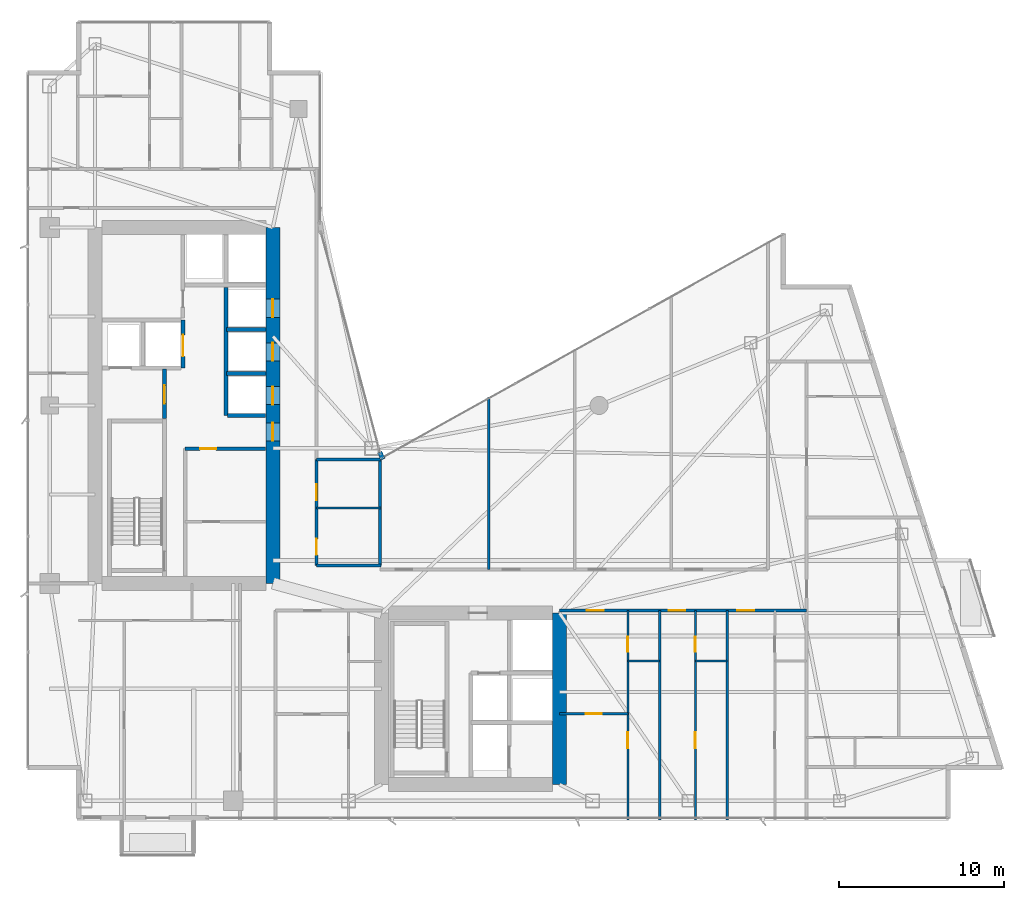
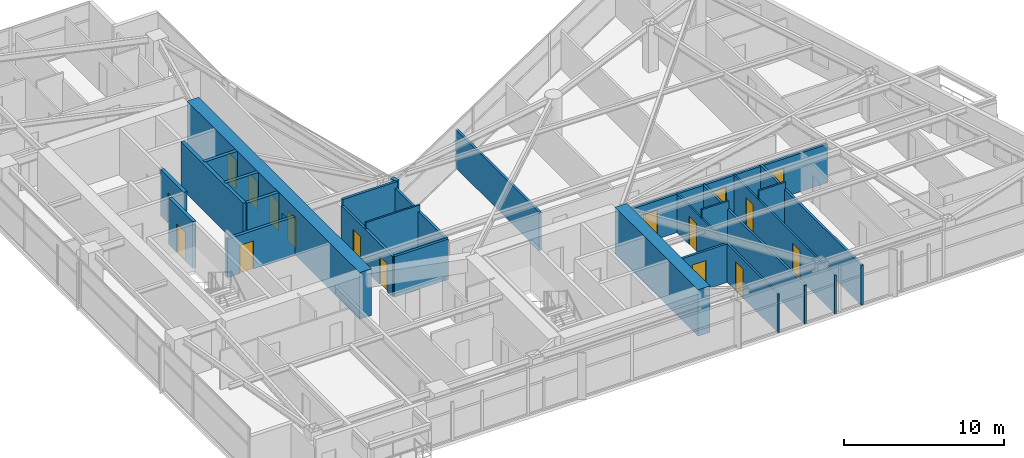
# One storey, part 23 of 29: 24 walls, 17 doors, 17 openings.
"""IFC4 building model written with IfcOpenShell, lengths in metres."""

from ifc_helpers import new_model, si_unit, direction, frame, frame_2d, origin, place, context, subcontext, project, spatial, rectangle, extrude, material, layer, layer_set, type_object, element, fill, save


model = new_model("IFC4")

# Units and contexts
model_context = context("Model", 3, precision=1e-05, world=origin(), true_north=direction((0.0, 1.0)))
body_context = subcontext(model_context, "Body", "Model", "MODEL_VIEW")
ifc_project = project(units=[si_unit("LENGTHUNIT", "METRE"), si_unit("AREAUNIT", "SQUARE_METRE"), si_unit("VOLUMEUNIT", "CUBIC_METRE"), si_unit("PLANEANGLEUNIT", "RADIAN"), si_unit("MASSUNIT", "GRAM", prefix="KILO")], contexts=[model_context])

# Site, building, storey
site_placement = place(None, origin())
site = spatial("IfcSite", under=ifc_project, at=site_placement, CompositionType="ELEMENT")
building_placement = place(site_placement, origin())
building = spatial("IfcBuilding", under=site, at=building_placement, Name="Calvorn Quay Hotel", CompositionType="ELEMENT")
storey_placement = place(building_placement, frame((0.0, 0.0, 175.10009765625)))
storey = spatial("IfcBuildingStorey", under=building, at=storey_placement, Name="L43", CompositionType="ELEMENT", Elevation=175.10009765625)

# Wall, openings, doors
ifc_material_1 = material(Name="Concrete C50", Category="concrete")
ifc_layer_1 = layer(ifc_material_1, 0.85009765625)
ifc_layer_set_1 = layer_set([ifc_layer_1], Name="WL-CORE-850")
wall_type_1 = type_object("IfcWallType", Name="WL-CORE-850", PredefinedType="SHEAR", material=ifc_layer_set_1)
wall_1_placement = place(storey_placement, frame((15.0, 16.800048828125, 0.0), z_axis=(0.0, 0.0, 1.0), x_axis=(0.0, 1.0, 0.0)))
wall_1 = element("IfcWall", 1, at=wall_1_placement, inside=storey, type_object=wall_type_1, Name="West Core Shear Wall E (L43)", PredefinedType="SHEAR", context=body_context, shape_type="SweptSolid", body=[
    extrude(rectangle(XDim=21.599853515625, YDim=0.85009765625, at=frame_2d((10.7998046875, 0.0))), origin(), (0.0, 0.0, 1.0), 3.559814453125),
])
opening_1_placement = place(wall_1_placement, frame((8.64990234375, 0.0, 0.0)))
opening_1 = element("IfcOpeningElement", 2, at=opening_1_placement, cuts=wall_1, Name="Opening D-L43-CW1", PredefinedType="OPENING", context=body_context, shape_type="SweptSolid", body=[
    extrude(rectangle(XDim=1.10009765625, YDim=2.199951171875, at=frame_2d((0.550048828125, 1.10009765625))), frame((0.0, 0.43505859375, 0.0), z_axis=(0.0, -1.0, 0.0), x_axis=(1.0, 0.0, 0.0)), (0.0, 0.0, 1.0), 0.8701171875),
])
opening_2_placement = place(wall_1_placement, frame((10.85009765625, 0.0, 0.0)))
opening_2 = element("IfcOpeningElement", 3, at=opening_2_placement, cuts=wall_1, Name="Opening LD-L43-M1", PredefinedType="OPENING", context=body_context, shape_type="SweptSolid", body=[
    extrude(rectangle(XDim=1.10009765625, YDim=2.199951171875, at=frame_2d((0.550048828125, 1.10009765625))), frame((0.0, 0.43505859375, 0.0), z_axis=(0.0, -1.0, 0.0), x_axis=(1.0, 0.0, 0.0)), (0.0, 0.0, 1.0), 0.8701171875),
])
opening_3_placement = place(wall_1_placement, frame((13.5, 0.0, 0.0)))
opening_3 = element("IfcOpeningElement", 4, at=opening_3_placement, cuts=wall_1, Name="Opening LD-L43-M2", PredefinedType="OPENING", context=body_context, shape_type="SweptSolid", body=[
    extrude(rectangle(XDim=1.10009765625, YDim=2.199951171875, at=frame_2d((0.550048828125, 1.10009765625))), frame((0.0, 0.43505859375, 0.0), z_axis=(0.0, -1.0, 0.0), x_axis=(1.0, 0.0, 0.0)), (0.0, 0.0, 1.0), 0.8701171875),
])
opening_4_placement = place(wall_1_placement, frame((16.14990234375, 0.0, 0.0)))
opening_4 = element("IfcOpeningElement", 5, at=opening_4_placement, cuts=wall_1, Name="Opening LD-L43-M3", PredefinedType="OPENING", context=body_context, shape_type="SweptSolid", body=[
    extrude(rectangle(XDim=1.10009765625, YDim=2.199951171875, at=frame_2d((0.550048828125, 1.10009765625))), frame((0.0, 0.43505859375, 0.0), z_axis=(0.0, -1.0, 0.0), x_axis=(1.0, 0.0, 0.0)), (0.0, 0.0, 1.0), 0.8701171875),
])
ifc_material_2 = material(Name="Smoke-Sealed Steel Class A Fire Door", Category="steel")
door_type_1 = type_object("IfcDoorType", Name="DR-FFLOBBY-1100", OperationType="NOTDEFINED", PredefinedType="DOOR", material=ifc_material_2)
door_1_placement = place(opening_1_placement, origin())
door_1 = element("IfcDoor", 6, at=door_1_placement, inside=storey, type_object=door_type_1, Name="West Core Vestibule Fire Door (L43)", OperationType="SINGLE_SWING_RIGHT", OverallHeight=2.199951171875, OverallWidth=1.10009765625, PredefinedType="DOOR", context=body_context, shape_type="SweptSolid", body=[
    extrude(rectangle(XDim=1.10009765625, YDim=2.199951171875, at=frame_2d((0.550048828125, 1.10009765625))), frame((0.0, 0.02490234375, 0.0), z_axis=(0.0, -1.0, 0.0), x_axis=(1.0, 0.0, 0.0)), (0.0, 0.0, 1.0), 0.050048828125),
])
fill(opening_1, door_1)
ifc_material_3 = material(Name="Brushed Stainless Steel Sliding Lift Landing Door", Category="steel")
door_type_2 = type_object("IfcDoorType", Name="DR-LIFT-PASS-1100", OperationType="NOTDEFINED", PredefinedType="DOOR", material=ifc_material_3)
door_2_placement = place(opening_2_placement, origin())
door_2 = element("IfcDoor", 7, at=door_2_placement, inside=storey, type_object=door_type_2, Name="Mid-Rise Lift PL-M1 Landing Door (L43)", OperationType="DOUBLE_DOOR_SLIDING", OverallHeight=2.199951171875, OverallWidth=1.10009765625, PredefinedType="DOOR", context=body_context, shape_type="SweptSolid", body=[
    extrude(rectangle(XDim=1.10009765625, YDim=2.199951171875, at=frame_2d((0.550048828125, 1.10009765625))), frame((0.0, 0.02490234375, 0.0), z_axis=(0.0, -1.0, 0.0), x_axis=(1.0, 0.0, 0.0)), (0.0, 0.0, 1.0), 0.050048828125),
])
fill(opening_2, door_2)
door_3_placement = place(opening_3_placement, origin())
door_3 = element("IfcDoor", 8, at=door_3_placement, inside=storey, type_object=door_type_2, Name="Mid-Rise Lift PL-M2 Landing Door (L43)", OperationType="DOUBLE_DOOR_SLIDING", OverallHeight=2.199951171875, OverallWidth=1.10009765625, PredefinedType="DOOR", context=body_context, shape_type="SweptSolid", body=[
    extrude(rectangle(XDim=1.10009765625, YDim=2.199951171875, at=frame_2d((0.550048828125, 1.10009765625))), frame((0.0, 0.02490234375, 0.0), z_axis=(0.0, -1.0, 0.0), x_axis=(1.0, 0.0, 0.0)), (0.0, 0.0, 1.0), 0.050048828125),
])
fill(opening_3, door_3)
door_4_placement = place(opening_4_placement, origin())
door_4 = element("IfcDoor", 9, at=door_4_placement, inside=storey, type_object=door_type_2, Name="Mid-Rise Lift PL-M3 Landing Door (L43)", OperationType="DOUBLE_DOOR_SLIDING", OverallHeight=2.199951171875, OverallWidth=1.10009765625, PredefinedType="DOOR", context=body_context, shape_type="SweptSolid", body=[
    extrude(rectangle(XDim=1.10009765625, YDim=2.199951171875, at=frame_2d((0.550048828125, 1.10009765625))), frame((0.0, 0.02490234375, 0.0), z_axis=(0.0, -1.0, 0.0), x_axis=(1.0, 0.0, 0.0)), (0.0, 0.0, 1.0), 0.050048828125),
])
fill(opening_4, door_4)

# Walls
wall_2_placement = place(storey_placement, frame((32.39990234375, 4.60009765625, 0.0), z_axis=(0.0, 0.0, 1.0), x_axis=(0.0, 1.0, 0.0)))
element("IfcWall", 10, at=wall_2_placement, inside=storey, type_object=wall_type_1, Name="East Core Shear Wall E (L43)", PredefinedType="SHEAR", context=body_context, shape_type="SweptSolid", body=[
    extrude(rectangle(XDim=10.39990234375, YDim=0.85009765625, at=frame_2d((5.199951171875, 0.0))), origin(), (0.0, 0.0, 1.0), 3.559814453125),
])
ifc_material_4 = material(Name="Acoustic Fireboard Steel-Stud Partition", Category="steel")
ifc_layer_2 = layer(ifc_material_4, 0.179931640625)
ifc_layer_set_2 = layer_set([ifc_layer_2], Name="WL-CORR-FIRE-180")
wall_type_2 = type_object("IfcWallType", Name="WL-CORR-FIRE-180", PredefinedType="PARTITIONING", material=ifc_layer_set_2)
wall_3_placement = place(storey_placement, frame((17.64990234375, 17.8798828125, 0.0), z_axis=(0.0, 0.0, 1.0), x_axis=(1.0, 0.0, 0.0)))
element("IfcWall", 11, at=wall_3_placement, inside=storey, type_object=wall_type_2, Name="Partition Wall L43-WL-HK-S", PredefinedType="PARTITIONING", context=body_context, shape_type="SweptSolid", body=[
    extrude(rectangle(XDim=3.900146484375, YDim=0.179931640625, at=frame_2d((1.9501953125, 0.0))), origin(), (0.0, 0.0, 1.0), 3.08984375),
])
wall_4_placement = place(storey_placement, frame((17.64990234375, 24.320068359375, 0.0), z_axis=(0.0, 0.0, 1.0), x_axis=(1.0, 0.0, 0.0)))
element("IfcWall", 12, at=wall_4_placement, inside=storey, type_object=wall_type_2, Name="Partition Wall L43-WL-HK-N", PredefinedType="PARTITIONING", context=body_context, shape_type="SweptSolid", body=[
    extrude(rectangle(XDim=3.9501953125, YDim=0.179931640625, at=frame_2d((1.97509765625, 0.0))), origin(), (0.0, 0.0, 1.0), 3.559814453125),
])
wall_5_placement = place(storey_placement, frame((21.5, 17.8798828125, 0.0), z_axis=(0.0, 0.0, 1.0), x_axis=(0.0, 1.0, 0.0)))
element("IfcWall", 13, at=wall_5_placement, inside=storey, type_object=wall_type_2, Name="Partition Wall L43-WL-HK-E", PredefinedType="PARTITIONING", context=body_context, shape_type="SweptSolid", body=[
    extrude(rectangle(XDim=6.440185546875, YDim=0.179931640625, at=frame_2d((3.22021484375, 0.0))), origin(), (0.0, 0.0, 1.0), 3.08984375),
])

# Wall, openings, doors
wall_6_placement = place(storey_placement, frame((17.64990234375, 17.8798828125, 0.0), z_axis=(0.0, 0.0, 1.0), x_axis=(0.0, 1.0, 0.0)))
wall_6 = element("IfcWall", 14, at=wall_6_placement, inside=storey, type_object=wall_type_2, Name="Partition Wall L43-WL-HK-W", PredefinedType="PARTITIONING", context=body_context, shape_type="SweptSolid", body=[
    extrude(rectangle(XDim=6.440185546875, YDim=0.179931640625, at=frame_2d((3.22021484375, 0.0))), origin(), (0.0, 0.0, 1.0), 3.08984375),
])
opening_5_placement = place(wall_6_placement, frame((0.64990234375, 0.0, 0.0)))
opening_5 = element("IfcOpeningElement", 15, at=opening_5_placement, cuts=wall_6, Name="Opening D-L43-HK", PredefinedType="OPENING", context=body_context, shape_type="SweptSolid", body=[
    extrude(rectangle(XDim=0.97998046875, YDim=2.14990234375, at=frame_2d((0.489990234375, 1.074951171875))), frame((0.0, 0.099853515625, 0.0), z_axis=(0.0, -1.0, 0.0), x_axis=(1.0, 0.0, 0.0)), (0.0, 0.0, 1.0), 0.199951171875),
])
opening_6_placement = place(wall_6_placement, frame((3.969970703125, 0.0, 0.0)))
opening_6 = element("IfcOpeningElement", 16, at=opening_6_placement, cuts=wall_6, Name="Opening D-L43-NCP", PredefinedType="OPENING", context=body_context, shape_type="SweptSolid", body=[
    extrude(rectangle(XDim=0.9599609375, YDim=2.199951171875, at=frame_2d((0.47998046875, 1.10009765625))), frame((0.0, 0.099853515625, 0.0), z_axis=(0.0, -1.0, 0.0), x_axis=(1.0, 0.0, 0.0)), (0.0, 0.0, 1.0), 0.199951171875),
])
ifc_material_5 = material(Name="Painted Steel Housekeeping/Riser Fire Door", Category="steel")
door_type_3 = type_object("IfcDoorType", Name="DR-SERVICE-980", OperationType="NOTDEFINED", PredefinedType="DOOR", material=ifc_material_5)
door_5_placement = place(opening_5_placement, origin())
door_5 = element("IfcDoor", 17, at=door_5_placement, inside=storey, type_object=door_type_3, Name="Floor Housekeeping Door (L43)", OperationType="SINGLE_SWING_LEFT", OverallHeight=2.14990234375, OverallWidth=0.97998046875, PredefinedType="DOOR", context=body_context, shape_type="SweptSolid", body=[
    extrude(rectangle(XDim=0.97998046875, YDim=2.14990234375, at=frame_2d((0.489990234375, 1.074951171875))), frame((0.0, 0.02490234375, 0.0), z_axis=(0.0, -1.0, 0.0), x_axis=(1.0, 0.0, 0.0)), (0.0, 0.0, 1.0), 0.050048828125),
])
fill(opening_5, door_5)
ifc_material_6 = material(Name="Solid Timber Internal Suite Door", Category="wood")
door_type_4 = type_object("IfcDoorType", Name="DR-SUITE-INT-960", OperationType="NOTDEFINED", PredefinedType="DOOR", material=ifc_material_6)
door_6_placement = place(opening_6_placement, origin())
door_6 = element("IfcDoor", 18, at=door_6_placement, inside=storey, type_object=door_type_4, Name="Reading Alcove Door (L43)", OperationType="SINGLE_SWING_RIGHT", OverallHeight=2.199951171875, OverallWidth=0.9599609375, PredefinedType="DOOR", context=body_context, shape_type="SweptSolid", body=[
    extrude(rectangle(XDim=0.9599609375, YDim=2.199951171875, at=frame_2d((0.47998046875, 1.10009765625))), frame((0.0, 0.02490234375, 0.0), z_axis=(0.0, -1.0, 0.0), x_axis=(1.0, 0.0, 0.0)), (0.0, 0.0, 1.0), 0.050048828125),
])
fill(opening_6, door_6)

wall_7_placement = place(storey_placement, frame((32.39990234375, 15.14990234375, 0.0), z_axis=(0.0, 0.0, 1.0), x_axis=(1.0, 0.0, 0.0)))
wall_7 = element("IfcWall", 19, at=wall_7_placement, inside=storey, type_object=wall_type_2, Name="Partition Wall L43-WL-CORR-SE-S", PredefinedType="PARTITIONING", context=body_context, shape_type="SweptSolid", body=[
    extrude(rectangle(XDim=15.0, YDim=0.179931640625, at=frame_2d((7.5, 0.0))), origin(), (0.0, 0.0, 1.0), 2.93994140625),
])
opening_7_placement = place(wall_7_placement, frame((1.659912109375, 0.0, 0.0)))
opening_7 = element("IfcOpeningElement", 20, at=opening_7_placement, cuts=wall_7, Name="Opening D-L43-U05", PredefinedType="OPENING", context=body_context, shape_type="SweptSolid", body=[
    extrude(rectangle(XDim=1.02001953125, YDim=2.199951171875, at=frame_2d((0.510009765625, 1.10009765625))), frame((0.0, 0.099853515625, 0.0), z_axis=(0.0, -1.0, 0.0), x_axis=(1.0, 0.0, 0.0)), (0.0, 0.0, 1.0), 0.199951171875),
])
opening_8_placement = place(wall_7_placement, frame((10.7900390625, 0.0, 0.0)))
opening_8 = element("IfcOpeningElement", 21, at=opening_8_placement, cuts=wall_7, Name="Opening D-L43-U06", PredefinedType="OPENING", context=body_context, shape_type="SweptSolid", body=[
    extrude(rectangle(XDim=1.02001953125, YDim=2.199951171875, at=frame_2d((0.510009765625, 1.10009765625))), frame((0.0, 0.099853515625, 0.0), z_axis=(0.0, -1.0, 0.0), x_axis=(1.0, 0.0, 0.0)), (0.0, 0.0, 1.0), 0.199951171875),
])
opening_9_placement = place(wall_7_placement, frame((6.6201171875, 0.0, 0.0)))
opening_9 = element("IfcOpeningElement", 22, at=opening_9_placement, cuts=wall_7, Name="Opening D-L43-U07", PredefinedType="OPENING", context=body_context, shape_type="SweptSolid", body=[
    extrude(rectangle(XDim=1.02001953125, YDim=2.199951171875, at=frame_2d((0.510009765625, 1.10009765625))), frame((0.0, 0.099853515625, 0.0), z_axis=(0.0, -1.0, 0.0), x_axis=(1.0, 0.0, 0.0)), (0.0, 0.0, 1.0), 0.199951171875),
])
ifc_material_7 = material(Name="Solid-Core Walnut Veneer Hotel Fire Door")
door_type_5 = type_object("IfcDoorType", Name="DR-GUEST-ENTRY-1020", OperationType="NOTDEFINED", PredefinedType="DOOR", material=ifc_material_7)
door_7_placement = place(opening_7_placement, origin())
door_7 = element("IfcDoor", 23, at=door_7_placement, inside=storey, type_object=door_type_5, Name="South-East Unit Door U05 (L43)", OperationType="SINGLE_SWING_LEFT", OverallHeight=2.199951171875, OverallWidth=1.02001953125, PredefinedType="DOOR", context=body_context, shape_type="SweptSolid", body=[
    extrude(rectangle(XDim=1.02001953125, YDim=2.199951171875, at=frame_2d((0.510009765625, 1.10009765625))), frame((0.0, 0.02490234375, 0.0), z_axis=(0.0, -1.0, 0.0), x_axis=(1.0, 0.0, 0.0)), (0.0, 0.0, 1.0), 0.050048828125),
])
fill(opening_7, door_7)
door_8_placement = place(opening_8_placement, origin())
door_8 = element("IfcDoor", 24, at=door_8_placement, inside=storey, type_object=door_type_5, Name="South-East Unit Door U06 (L43)", OperationType="SINGLE_SWING_RIGHT", OverallHeight=2.199951171875, OverallWidth=1.02001953125, PredefinedType="DOOR", context=body_context, shape_type="SweptSolid", body=[
    extrude(rectangle(XDim=1.02001953125, YDim=2.199951171875, at=frame_2d((0.510009765625, 1.10009765625))), frame((0.0, 0.02490234375, 0.0), z_axis=(0.0, -1.0, 0.0), x_axis=(1.0, 0.0, 0.0)), (0.0, 0.0, 1.0), 0.050048828125),
])
fill(opening_8, door_8)
door_9_placement = place(opening_9_placement, origin())
door_9 = element("IfcDoor", 25, at=door_9_placement, inside=storey, type_object=door_type_5, Name="South-East Unit Door U07 (L43)", OperationType="SINGLE_SWING_LEFT", OverallHeight=2.199951171875, OverallWidth=1.02001953125, PredefinedType="DOOR", context=body_context, shape_type="SweptSolid", body=[
    extrude(rectangle(XDim=1.02001953125, YDim=2.199951171875, at=frame_2d((0.510009765625, 1.10009765625))), frame((0.0, 0.02490234375, 0.0), z_axis=(0.0, -1.0, 0.0), x_axis=(1.0, 0.0, 0.0)), (0.0, 0.0, 1.0), 0.050048828125),
])
fill(opening_9, door_9)

# Walls
ifc_material_8 = material(Name="Moisture-Resistant Tile-Backed Partition")
ifc_layer_3 = layer(ifc_material_8, 0.125)
ifc_layer_set_3 = layer_set([ifc_layer_3], Name="WL-ENSUITE-125")
wall_type_3 = type_object("IfcWallType", Name="WL-ENSUITE-125", PredefinedType="PARTITIONING", material=ifc_layer_set_3)
wall_8_placement = place(storey_placement, frame((17.64990234375, 21.3798828125, 0.0), z_axis=(0.0, 0.0, 1.0), x_axis=(1.0, 0.0, 0.0)))
element("IfcWall", 26, at=wall_8_placement, inside=storey, type_object=wall_type_3, Name="Partition Wall L43-WL-HK-M", PredefinedType="PARTITIONING", context=body_context, shape_type="SweptSolid", body=[
    extrude(rectangle(XDim=3.900146484375, YDim=0.125, at=frame_2d((1.9501953125, 0.0))), origin(), (0.0, 0.0, 1.0), 3.559814453125),
])
wall_9_placement = place(storey_placement, frame((36.550048828125, 12.10009765625, 0.0), z_axis=(0.0, 0.0, 1.0), x_axis=(1.0, 0.0, 0.0)))
element("IfcWall", 27, at=wall_9_placement, inside=storey, type_object=wall_type_3, Name="Partition Wall L43-WL-U05-BDV", PredefinedType="PARTITIONING", context=body_context, shape_type="SweptSolid", body=[
    extrude(rectangle(XDim=1.929931640625, YDim=0.125, at=frame_2d((0.96484375, 0.0))), origin(), (0.0, 0.0, 1.0), 3.559814453125),
])

# Wall, openings, doors
wall_10_placement = place(storey_placement, frame((36.550048828125, 2.43994140625, 0.0), z_axis=(0.0, 0.0, 1.0), x_axis=(0.0, 1.0, 0.0)))
wall_10 = element("IfcWall", 28, at=wall_10_placement, inside=storey, type_object=wall_type_3, Name="Partition Wall L43-WL-U05-BV", PredefinedType="PARTITIONING", context=body_context, shape_type="SweptSolid", body=[
    extrude(rectangle(XDim=12.7099609375, YDim=0.125, at=frame_2d((6.35498046875, 0.0))), origin(), (0.0, 0.0, 1.0), 2.93994140625),
])
opening_10_placement = place(wall_10_placement, frame((4.35009765625, 0.0, 0.0)))
opening_10 = element("IfcOpeningElement", 29, at=opening_10_placement, cuts=wall_10, Name="Opening D-L43-S05", PredefinedType="OPENING", context=body_context, shape_type="SweptSolid", body=[
    extrude(rectangle(XDim=0.9599609375, YDim=2.199951171875, at=frame_2d((0.47998046875, 1.10009765625))), frame((0.0, 0.072509765625, 0.0), z_axis=(0.0, -1.0, 0.0), x_axis=(1.0, 0.0, 0.0)), (0.0, 0.0, 1.0), 0.14501953125),
])
opening_11_placement = place(wall_10_placement, frame((10.2099609375, 0.0, 0.0)))
opening_11 = element("IfcOpeningElement", 30, at=opening_11_placement, cuts=wall_10, Name="Opening D-L43-E05", PredefinedType="OPENING", context=body_context, shape_type="SweptSolid", body=[
    extrude(rectangle(XDim=0.89990234375, YDim=2.14990234375, at=frame_2d((0.449951171875, 1.074951171875))), frame((0.0, 0.072509765625, 0.0), z_axis=(0.0, -1.0, 0.0), x_axis=(1.0, 0.0, 0.0)), (0.0, 0.0, 1.0), 0.14501953125),
])
ifc_material_9 = material(Name="Moisture-Sealed Timber En-Suite Door", Category="wood")
door_type_6 = type_object("IfcDoorType", Name="DR-ENSUITE-900", OperationType="NOTDEFINED", PredefinedType="DOOR", material=ifc_material_9)
door_10_placement = place(opening_11_placement, origin())
door_10 = element("IfcDoor", 31, at=door_10_placement, inside=storey, type_object=door_type_6, Name="En-Suite Door 05", OperationType="SINGLE_SWING_RIGHT", OverallHeight=2.14990234375, OverallWidth=0.89990234375, PredefinedType="DOOR", context=body_context, shape_type="SweptSolid", body=[
    extrude(rectangle(XDim=0.89990234375, YDim=2.14990234375, at=frame_2d((0.449951171875, 1.074951171875))), frame((0.0, 0.02490234375, 0.0), z_axis=(0.0, -1.0, 0.0), x_axis=(1.0, 0.0, 0.0)), (0.0, 0.0, 1.0), 0.050048828125),
])
fill(opening_11, door_10)
door_11_placement = place(opening_10_placement, origin())
door_11 = element("IfcDoor", 32, at=door_11_placement, inside=storey, type_object=door_type_4, Name="Curated Resort Boutique Door 05", OperationType="SINGLE_SWING_LEFT", OverallHeight=2.199951171875, OverallWidth=0.9599609375, PredefinedType="DOOR", context=body_context, shape_type="SweptSolid", body=[
    extrude(rectangle(XDim=0.9599609375, YDim=2.199951171875, at=frame_2d((0.47998046875, 1.10009765625))), frame((0.0, 0.02490234375, 0.0), z_axis=(0.0, -1.0, 0.0), x_axis=(1.0, 0.0, 0.0)), (0.0, 0.0, 1.0), 0.050048828125),
])
fill(opening_10, door_11)

# Wall
wall_11_placement = place(storey_placement, frame((40.64990234375, 12.10009765625, 0.0), z_axis=(0.0, 0.0, 1.0), x_axis=(1.0, 0.0, 0.0)))
element("IfcWall", 33, at=wall_11_placement, inside=storey, type_object=wall_type_3, Name="Partition Wall L43-WL-U06-BDV", PredefinedType="PARTITIONING", context=body_context, shape_type="SweptSolid", body=[
    extrude(rectangle(XDim=1.93017578125, YDim=0.125, at=frame_2d((0.965087890625, 0.0))), origin(), (0.0, 0.0, 1.0), 3.559814453125),
])

# Wall, openings, doors
wall_12_placement = place(storey_placement, frame((40.64990234375, 2.43994140625, 0.0), z_axis=(0.0, 0.0, 1.0), x_axis=(0.0, 1.0, 0.0)))
wall_12 = element("IfcWall", 34, at=wall_12_placement, inside=storey, type_object=wall_type_3, Name="Partition Wall L43-WL-U06-BV", PredefinedType="PARTITIONING", context=body_context, shape_type="SweptSolid", body=[
    extrude(rectangle(XDim=12.7099609375, YDim=0.125, at=frame_2d((6.35498046875, 0.0))), origin(), (0.0, 0.0, 1.0), 2.93994140625),
])
opening_12_placement = place(wall_12_placement, frame((4.35009765625, 0.0, 0.0)))
opening_12 = element("IfcOpeningElement", 35, at=opening_12_placement, cuts=wall_12, Name="Opening D-L43-S06", PredefinedType="OPENING", context=body_context, shape_type="SweptSolid", body=[
    extrude(rectangle(XDim=0.9599609375, YDim=2.199951171875, at=frame_2d((0.47998046875, 1.10009765625))), frame((0.0, 0.072509765625, 0.0), z_axis=(0.0, -1.0, 0.0), x_axis=(1.0, 0.0, 0.0)), (0.0, 0.0, 1.0), 0.14501953125),
])
opening_13_placement = place(wall_12_placement, frame((10.2099609375, 0.0, 0.0)))
opening_13 = element("IfcOpeningElement", 36, at=opening_13_placement, cuts=wall_12, Name="Opening D-L43-E06", PredefinedType="OPENING", context=body_context, shape_type="SweptSolid", body=[
    extrude(rectangle(XDim=0.89990234375, YDim=2.14990234375, at=frame_2d((0.449951171875, 1.074951171875))), frame((0.0, 0.072509765625, 0.0), z_axis=(0.0, -1.0, 0.0), x_axis=(1.0, 0.0, 0.0)), (0.0, 0.0, 1.0), 0.14501953125),
])
door_12_placement = place(opening_13_placement, origin())
door_12 = element("IfcDoor", 37, at=door_12_placement, inside=storey, type_object=door_type_6, Name="En-Suite Door 06", OperationType="SINGLE_SWING_RIGHT", OverallHeight=2.14990234375, OverallWidth=0.89990234375, PredefinedType="DOOR", context=body_context, shape_type="SweptSolid", body=[
    extrude(rectangle(XDim=0.89990234375, YDim=2.14990234375, at=frame_2d((0.449951171875, 1.074951171875))), frame((0.0, 0.02490234375, 0.0), z_axis=(0.0, -1.0, 0.0), x_axis=(1.0, 0.0, 0.0)), (0.0, 0.0, 1.0), 0.050048828125),
])
fill(opening_13, door_12)
door_13_placement = place(opening_12_placement, origin())
door_13 = element("IfcDoor", 38, at=door_13_placement, inside=storey, type_object=door_type_4, Name="Curated Resort Boutique Door 06", OperationType="SINGLE_SWING_LEFT", OverallHeight=2.199951171875, OverallWidth=0.9599609375, PredefinedType="DOOR", context=body_context, shape_type="SweptSolid", body=[
    extrude(rectangle(XDim=0.9599609375, YDim=2.199951171875, at=frame_2d((0.47998046875, 1.10009765625))), frame((0.0, 0.02490234375, 0.0), z_axis=(0.0, -1.0, 0.0), x_axis=(1.0, 0.0, 0.0)), (0.0, 0.0, 1.0), 0.050048828125),
])
fill(opening_12, door_13)

# Wall
ifc_material_10 = material(Name="Concrete C40", Category="concrete")
ifc_layer_4 = layer(ifc_material_10, 0.320068359375)
ifc_layer_set_4 = layer_set([ifc_layer_4], Name="WL-EXT-SPANDREL-320")
wall_type_4 = type_object("IfcWallType", Name="WL-EXT-SPANDREL-320", PredefinedType="SOLIDWALL", material=ifc_layer_set_4)
wall_13_placement = place(storey_placement, frame((21.679931640625, 24.340087890625, 0.0), z_axis=(0.0, 0.0, 1.0), x_axis=(-0.40758134973, 0.913168901875, 0.0)))
element("IfcWall", 39, at=wall_13_placement, inside=storey, type_object=wall_type_4, Name="Inner Court Corner Pier L43-ICJ1", PredefinedType="SOLIDWALL", context=body_context, shape_type="SweptSolid", body=[
    extrude(rectangle(XDim=0.470703125, YDim=0.280029296875, at=frame_2d((0.2353515625, 0.0))), origin(), (0.0, 0.0, 1.0), 3.559814453125),
])

# Wall, opening, door
ifc_material_11 = material(Name="Double-Stud Acoustic Gypsum Partition")
ifc_layer_5 = layer(ifc_material_11, 0.159912109375)
ifc_layer_set_5 = layer_set([ifc_layer_5], Name="WL-INTERSUITE-160")
wall_type_5 = type_object("IfcWallType", Name="WL-INTERSUITE-160", PredefinedType="PARTITIONING", material=ifc_layer_set_5)
wall_14_placement = place(storey_placement, frame((32.39990234375, 8.8798828125, 0.0), z_axis=(0.0, 0.0, 1.0), x_axis=(1.0, 0.0, 0.0)))
wall_14 = element("IfcWall", 40, at=wall_14_placement, inside=storey, type_object=wall_type_5, Name="Partition Wall L43-WL-U05-MSP", PredefinedType="PARTITIONING", context=body_context, shape_type="SweptSolid", body=[
    extrude(rectangle(XDim=4.150146484375, YDim=0.159912109375, at=frame_2d((2.0751953125, 0.0))), origin(), (0.0, 0.0, 1.0), 2.93994140625),
])
opening_14_placement = place(wall_14_placement, frame((1.590087890625, 0.0, 0.0)))
opening_14 = element("IfcOpeningElement", 41, at=opening_14_placement, cuts=wall_14, Name="Opening D-L43-M05", PredefinedType="OPENING", context=body_context, shape_type="SweptSolid", body=[
    extrude(rectangle(XDim=0.9599609375, YDim=2.199951171875, at=frame_2d((0.47998046875, 1.10009765625))), frame((0.0, 0.08984375, 0.0), z_axis=(0.0, -1.0, 0.0), x_axis=(1.0, 0.0, 0.0)), (0.0, 0.0, 1.0), 0.179931640625),
])
door_14_placement = place(opening_14_placement, origin())
door_14 = element("IfcDoor", 42, at=door_14_placement, inside=storey, type_object=door_type_4, Name="Suite Bedroom Door 05", OperationType="SINGLE_SWING_LEFT", OverallHeight=2.199951171875, OverallWidth=0.9599609375, PredefinedType="DOOR", context=body_context, shape_type="SweptSolid", body=[
    extrude(rectangle(XDim=0.9599609375, YDim=2.199951171875, at=frame_2d((0.47998046875, 1.10009765625))), frame((0.0, 0.02490234375, 0.0), z_axis=(0.0, -1.0, 0.0), x_axis=(1.0, 0.0, 0.0)), (0.0, 0.0, 1.0), 0.050048828125),
])
fill(opening_14, door_14)

# Walls
wall_15_placement = place(storey_placement, frame((38.47998046875, 2.43994140625, 0.0), z_axis=(0.0, 0.0, 1.0), x_axis=(0.0, 1.0, 0.0)))
element("IfcWall", 43, at=wall_15_placement, inside=storey, type_object=wall_type_5, Name="Partition Wall L43-WL-SE-DIV-1", PredefinedType="PARTITIONING", context=body_context, shape_type="SweptSolid", body=[
    extrude(rectangle(XDim=12.7099609375, YDim=0.159912109375, at=frame_2d((6.35498046875, 0.0))), origin(), (0.0, 0.0, 1.0), 2.93994140625),
])
wall_16_placement = place(storey_placement, frame((42.580078125, 2.43994140625, 0.0), z_axis=(0.0, 0.0, 1.0), x_axis=(0.0, 1.0, 0.0)))
element("IfcWall", 44, at=wall_16_placement, inside=storey, type_object=wall_type_5, Name="Partition Wall L43-WL-SE-DIV-2", PredefinedType="PARTITIONING", context=body_context, shape_type="SweptSolid", body=[
    extrude(rectangle(XDim=12.7099609375, YDim=0.159912109375, at=frame_2d((6.35498046875, 0.0))), origin(), (0.0, 0.0, 1.0), 3.039794921875),
])
wall_17_placement = place(storey_placement, frame((28.110107421875, 17.64990234375, 0.0), z_axis=(0.0, 0.0, 1.0), x_axis=(0.0, 1.0, 0.0)))
element("IfcWall", 45, at=wall_17_placement, inside=storey, type_object=wall_type_5, Name="Partition Wall L43-WL-NE-DIV-1", PredefinedType="PARTITIONING", context=body_context, shape_type="SweptSolid", body=[
    extrude(rectangle(XDim=10.460205078125, YDim=0.159912109375, at=frame_2d((5.22998046875, 0.0))), origin(), (0.0, 0.0, 1.0), 2.93994140625),
])

# Wall, opening, door
ifc_material_12 = material(Name="Autoclaved Aerated Masonry Block", Category="masonry")
ifc_layer_6 = layer(ifc_material_12, 0.219970703125)
ifc_layer_set_6 = layer_set([ifc_layer_6], Name="WL-LOBBY-FIRE-220")
wall_type_6 = type_object("IfcWallType", Name="WL-LOBBY-FIRE-220", PredefinedType="SOLIDWALL", material=ifc_layer_set_6)
wall_18_placement = place(storey_placement, frame((9.679931640625, 24.969970703125, 0.0), z_axis=(0.0, 0.0, 1.0), x_axis=(1.0, 0.0, 0.0)))
wall_18 = element("IfcWall", 46, at=wall_18_placement, inside=storey, type_object=wall_type_6, Name="Partition Wall L43-WL-CWW-FR-N", PredefinedType="SOLIDWALL", context=body_context, shape_type="SweptSolid", body=[
    extrude(rectangle(XDim=4.875, YDim=0.219970703125, at=frame_2d((2.4375, 0.0))), origin(), (0.0, 0.0, 1.0), 2.93994140625),
])
opening_15_placement = place(wall_18_placement, frame((0.89990234375, 0.0, 0.0)))
opening_15 = element("IfcOpeningElement", 47, at=opening_15_placement, cuts=wall_18, Name="Opening D-L43-FRL2", PredefinedType="OPENING", context=body_context, shape_type="SweptSolid", body=[
    extrude(rectangle(XDim=0.97998046875, YDim=2.14990234375, at=frame_2d((0.489990234375, 1.074951171875))), frame((0.0, 0.119873046875, 0.0), z_axis=(0.0, -1.0, 0.0), x_axis=(1.0, 0.0, 0.0)), (0.0, 0.0, 1.0), 0.239990234375),
])
door_15_placement = place(opening_15_placement, origin())
door_15 = element("IfcDoor", 48, at=door_15_placement, inside=storey, type_object=door_type_3, Name="Beverage Pantry Door (L43)", OperationType="SINGLE_SWING_RIGHT", OverallHeight=2.14990234375, OverallWidth=0.97998046875, PredefinedType="DOOR", context=body_context, shape_type="SweptSolid", body=[
    extrude(rectangle(XDim=0.97998046875, YDim=2.14990234375, at=frame_2d((0.489990234375, 1.074951171875))), frame((0.0, 0.02490234375, 0.0), z_axis=(0.0, -1.0, 0.0), x_axis=(1.0, 0.0, 0.0)), (0.0, 0.0, 1.0), 0.050048828125),
])
fill(opening_15, door_15)

# Walls
ifc_material_13 = material(Name="Concrete C40", Category="concrete")
ifc_layer_7 = layer(ifc_material_13, 0.239990234375)
ifc_layer_set_7 = layer_set([ifc_layer_7], Name="WL-SHAFT-240")
wall_type_7 = type_object("IfcWallType", Name="WL-SHAFT-240", PredefinedType="SOLIDWALL", material=ifc_layer_set_7)
for number, where, z_axis, x_axis, name in (
    (49, (12.179931640625, 29.550048828125, 0.0), (0.0, 0.0, 1.0), (1.0, 0.0, 0.0), "Lift Hoistway Divider Wall PLM12 (L43)"),
    (50, (12.179931640625, 32.199951171875, 0.0), (0.0, 0.0, 1.0), (1.0, 0.0, 0.0), "Lift Hoistway Divider Wall PLM23 (L43)"),
):
    element("IfcWall", number, at=place(storey_placement, frame(where, z_axis=z_axis, x_axis=x_axis)), inside=storey, type_object=wall_type_7, Name=name, PredefinedType="SOLIDWALL", context=body_context, shape_type="SweptSolid", body=[
        extrude(rectangle(XDim=2.39501953125, YDim=0.239990234375, at=frame_2d((1.197509765625, 0.0))), origin(), (0.0, 0.0, 1.0), 3.559814453125),
    ])

# Wall, opening, door
wall_19_placement = place(storey_placement, frame((8.419921875, 26.820068359375, 0.0), z_axis=(0.0, 0.0, 1.0), x_axis=(0.0, 1.0, 0.0)))
wall_19 = element("IfcWall", 51, at=wall_19_placement, inside=storey, type_object=wall_type_7, Name="Partition Wall L43-WL-CWW-FFL-E", PredefinedType="SOLIDWALL", context=body_context, shape_type="SweptSolid", body=[
    extrude(rectangle(XDim=3.0, YDim=0.239990234375, at=frame_2d((1.5, 0.0))), origin(), (0.0, 0.0, 1.0), 3.559814453125),
])
opening_16_placement = place(wall_19_placement, frame((0.89990234375, 0.0, 0.0)))
opening_16 = element("IfcOpeningElement", 52, at=opening_16_placement, cuts=wall_19, Name="Opening D-L43-FLW", PredefinedType="OPENING", context=body_context, shape_type="SweptSolid", body=[
    extrude(rectangle(XDim=1.10009765625, YDim=2.199951171875, at=frame_2d((0.550048828125, 1.10009765625))), frame((0.0, 0.1298828125, 0.0), z_axis=(0.0, -1.0, 0.0), x_axis=(1.0, 0.0, 0.0)), (0.0, 0.0, 1.0), 0.260009765625),
])
door_16_placement = place(opening_16_placement, origin())
door_16 = element("IfcDoor", 53, at=door_16_placement, inside=storey, type_object=door_type_1, Name="West Firefighting Lobby Fire Door (L43)", OperationType="SINGLE_SWING_RIGHT", OverallHeight=2.199951171875, OverallWidth=1.10009765625, PredefinedType="DOOR", context=body_context, shape_type="SweptSolid", body=[
    extrude(rectangle(XDim=1.10009765625, YDim=2.199951171875, at=frame_2d((0.550048828125, 1.10009765625))), frame((0.0, 0.02490234375, 0.0), z_axis=(0.0, -1.0, 0.0), x_axis=(1.0, 0.0, 0.0)), (0.0, 0.0, 1.0), 0.050048828125),
])
fill(opening_16, door_16)

wall_20_placement = place(storey_placement, frame((9.5400390625, 29.8798828125, 0.0), z_axis=(0.0, 0.0, 1.0), x_axis=(0.0, 1.0, 0.0)))
wall_20 = element("IfcWall", 54, at=wall_20_placement, inside=storey, type_object=wall_type_7, Name="Partition Wall L43-WL-CWW-SLW-E", PredefinedType="SOLIDWALL", context=body_context, shape_type="SweptSolid", body=[
    extrude(rectangle(XDim=2.900146484375, YDim=0.239990234375, at=frame_2d((1.4501953125, 0.0))), origin(), (0.0, 0.0, 1.0), 3.559814453125),
])
opening_17_placement = place(wall_20_placement, frame((0.699951171875, 0.0, 0.0)))
opening_17 = element("IfcOpeningElement", 55, at=opening_17_placement, cuts=wall_20, Name="Opening LD-L43-SLW1", PredefinedType="OPENING", context=body_context, shape_type="SweptSolid", body=[
    extrude(rectangle(XDim=1.300048828125, YDim=2.35009765625, at=frame_2d((0.64990234375, 1.175048828125))), frame((0.0, 0.1298828125, 0.0), z_axis=(0.0, -1.0, 0.0), x_axis=(1.0, 0.0, 0.0)), (0.0, 0.0, 1.0), 0.260009765625),
])
ifc_material_14 = material(Name="Champagne-Bronze Sliding Express Lift Landing Door")
door_type_7 = type_object("IfcDoorType", Name="DR-LIFT-SHUTTLE-1300", OperationType="NOTDEFINED", PredefinedType="DOOR", material=ifc_material_14)
door_17_placement = place(opening_17_placement, origin())
door_17 = element("IfcDoor", 56, at=door_17_placement, inside=storey, type_object=door_type_7, Name="Service Lift SL-W1 Landing Door (L43)", OperationType="DOUBLE_DOOR_SLIDING", OverallHeight=2.35009765625, OverallWidth=1.300048828125, PredefinedType="DOOR", context=body_context, shape_type="SweptSolid", body=[
    extrude(rectangle(XDim=1.300048828125, YDim=2.35009765625, at=frame_2d((0.64990234375, 1.175048828125))), frame((0.0, 0.02490234375, 0.0), z_axis=(0.0, -1.0, 0.0), x_axis=(1.0, 0.0, 0.0)), (0.0, 0.0, 1.0), 0.050048828125),
])
fill(opening_17, door_17)

# Walls
wall_21_placement = place(storey_placement, frame((12.25, 27.0, 0.0), z_axis=(0.0, 0.0, 1.0), x_axis=(1.0, 0.0, 0.0)))
element("IfcWall", 57, at=wall_21_placement, inside=storey, type_object=wall_type_7, Name="Partition Wall L43-WL-CWW-PLM-S", PredefinedType="SOLIDWALL", context=body_context, shape_type="SweptSolid", body=[
    extrude(rectangle(XDim=2.304931640625, YDim=0.239990234375, at=frame_2d((1.15234375, 0.0))), origin(), (0.0, 0.0, 1.0), 3.559814453125),
])
wall_22_placement = place(storey_placement, frame((12.14990234375, 27.0, 0.0), z_axis=(0.0, 0.0, 1.0), x_axis=(0.0, 1.0, 0.0)))
element("IfcWall", 58, at=wall_22_placement, inside=storey, type_object=wall_type_7, Name="Partition Wall L43-WL-CWW-PLM-W", PredefinedType="SOLIDWALL", context=body_context, shape_type="SweptSolid", body=[
    extrude(rectangle(XDim=7.75, YDim=0.239990234375, at=frame_2d((3.875, 0.0))), origin(), (0.0, 0.0, 1.0), 3.559814453125),
])

save(model, "model.ifc")
